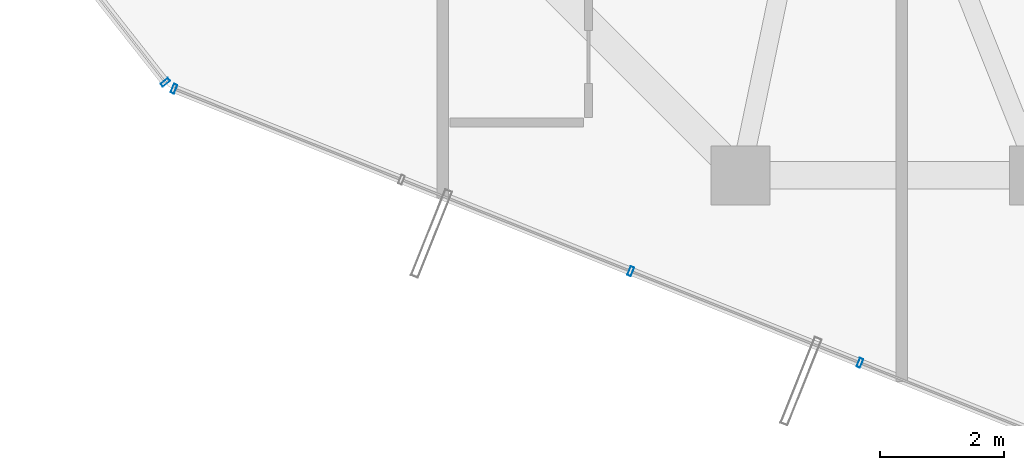
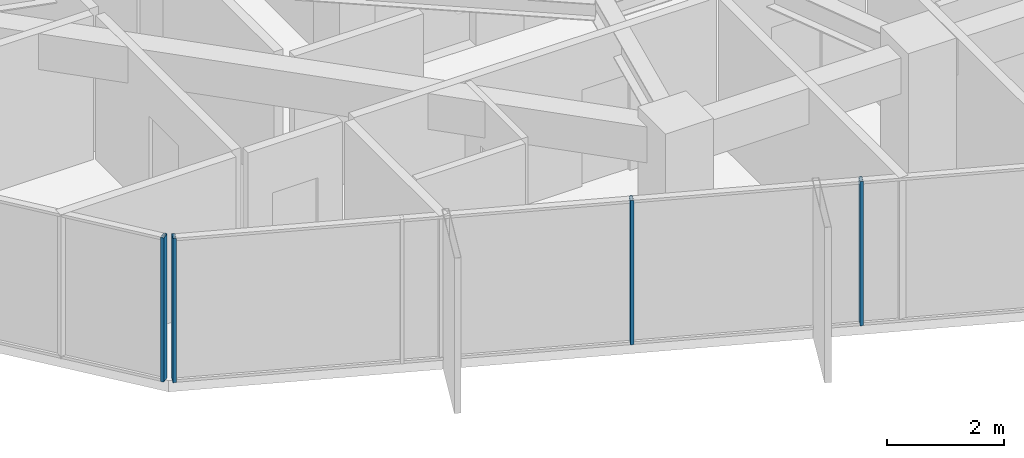
# One storey, part 2 of 31: 4 members, 2 elements without a shape of their own.
"""IFC4 building model written with IfcOpenShell, lengths in metres."""

import ifcopenshell
import ifcopenshell.guid

model = None  # the IFC model being written
_history = None  # IfcOwnerHistory: only IFC2X3 demands one
_inside = {}  # id of a spatial element -> (the spatial element, [elements in it])
_under = {}  # id of a project, library or spatial element -> (it, [spatial elements below it])
_declared = {}  # id of a project -> (the project, [libraries it declares])
_typed = {}  # id of a type object -> (the type object, [elements of that type])
_made_of = {}  # id of a material, layer set ... -> (it, [elements and type objects made of it])


def new_model(schema):
    """Start an empty IFC model of exactly this schema.

    Asked for "IFC4X3", IfcOpenShell would pick the latest addendum, in which some entities
    have other attributes; the version numbers below select the first issue.
    IFC2X3 requires an IfcOwnerHistory on every rooted entity: one is made here for all.
    """
    global model, _history
    if schema == "IFC4X3":
        model = ifcopenshell.file(schema_version=(4, 3, 0, 0))
    else:
        model = ifcopenshell.file(schema=schema)
    _inside.clear()
    _under.clear()
    _declared.clear()
    _typed.clear()
    _made_of.clear()
    _history = None
    if model.schema == "IFC2X3":
        org = make("IfcOrganization", Name="unknown")
        user = make(
            "IfcPersonAndOrganization",
            ThePerson=make("IfcPerson", FamilyName="unknown"),
            TheOrganization=org,
        )
        app = make(
            "IfcApplication",
            ApplicationDeveloper=org,
            Version="unknown",
            ApplicationFullName="unknown",
            ApplicationIdentifier="unknown",
        )
        _history = make(
            "IfcOwnerHistory",
            OwningUser=user,
            OwningApplication=app,
            ChangeAction="ADDED",
            CreationDate=0,
        )
    return model


def make(cls, **values):
    """One entity of the class cls with the attributes given. An attribute that is None is left unset."""
    return model.create_entity(
        cls, **{name: value for name, value in values.items() if value is not None}
    )


def rooted(cls, **values):
    """An entity with a GlobalId (a new one), such as an element, a storey or a relation."""
    return make(cls, GlobalId=ifcopenshell.guid.new(), OwnerHistory=_history, **values)


def si_unit(unit_type, name, prefix=None):
    """IfcSIUnit, for example si_unit("LENGTHUNIT", "METRE", prefix="MILLI")."""
    return make("IfcSIUnit", UnitType=unit_type, Prefix=prefix, Name=name)


def assignment(units):
    """IfcUnitAssignment: the units of a project."""
    return None if units is None else make("IfcUnitAssignment", Units=units)


def point(xyz):
    """IfcCartesianPoint."""
    return None if xyz is None else make("IfcCartesianPoint", Coordinates=xyz)


def direction(xyz):
    """IfcDirection."""
    return None if xyz is None else make("IfcDirection", DirectionRatios=xyz)


def frame(location, z_axis=None, x_axis=None):
    """IfcAxis2Placement3D, a coordinate frame: its origin and axes. An axis left out is left unset."""
    return make(
        "IfcAxis2Placement3D",
        Location=point(location),
        Axis=direction(z_axis),
        RefDirection=direction(x_axis),
    )


def frame_2d(location, x_axis=None):
    """IfcAxis2Placement2D, a coordinate frame in the plane: its origin and x axis."""
    return make(
        "IfcAxis2Placement2D", Location=point(location), RefDirection=direction(x_axis)
    )


def origin():
    """The frame at (0, 0, 0) with its axes left unset."""
    return frame((0.0, 0.0, 0.0))


def origin_2d():
    """The frame at (0, 0) in the plane with its x axis left unset."""
    return frame_2d((0.0, 0.0))


def place(relative_to, where):
    """IfcLocalPlacement: puts the frame where relative to a parent placement (None: the world)."""
    return make(
        "IfcLocalPlacement", PlacementRelTo=relative_to, RelativePlacement=where
    )


def context(
    kind, dimensions, precision=None, world=None, true_north=None, identifier=None
):
    """IfcGeometricRepresentationContext, for example the 3D "Model" context."""
    return make(
        "IfcGeometricRepresentationContext",
        ContextIdentifier=identifier,
        ContextType=kind,
        CoordinateSpaceDimension=dimensions,
        Precision=precision,
        WorldCoordinateSystem=world,
        TrueNorth=true_north,
    )


def subcontext(parent, identifier, kind, view, scale=None):
    """IfcGeometricRepresentationSubContext, for example "Body" below "Model"."""
    return make(
        "IfcGeometricRepresentationSubContext",
        ContextIdentifier=identifier,
        ContextType=kind,
        ParentContext=parent,
        TargetScale=scale,
        TargetView=view,
    )


def project(units=None, contexts=None):
    """IfcProject with its units and contexts."""
    return rooted(
        "IfcProject",
        Name="project",
        RepresentationContexts=contexts,
        UnitsInContext=assignment(units),
    )


def spatial(cls, under=None, at=None, **own):
    """A site, building, storey or space (cls), placed at a placement, below another one or the project."""
    s = rooted(cls, ObjectPlacement=at, **own)
    if under is not None:
        _under.setdefault(under.id(), (under, []))[1].append(s)
    return s


def profile(cls, at=None, kind="AREA", **sizes):
    """A parametric profile (cls). Its sizes go by their IFC names, for example OverallWidth=200.0."""
    return make(cls, ProfileType=kind, Position=at, **sizes)


def hollow_rectangle(**sizes):
    """IfcRectangleHollowProfileDef."""
    return profile("IfcRectangleHollowProfileDef", **sizes)


def extrude(swept, where, along, depth):
    """IfcExtrudedAreaSolid: the profile swept, set in the frame where, extruded along a direction by depth."""
    return make(
        "IfcExtrudedAreaSolid",
        SweptArea=swept,
        Position=where,
        ExtrudedDirection=direction(along),
        Depth=depth,
    )


def shape(context_of_items, identifier, shape_type, items):
    """IfcShapeRepresentation: the items that make up one representation, for example the "Body"."""
    return make(
        "IfcShapeRepresentation",
        ContextOfItems=context_of_items,
        RepresentationIdentifier=identifier,
        RepresentationType=shape_type,
        Items=items,
    )


def source(mapping_origin, context_of_items, identifier, shape_type, items):
    """IfcRepresentationMap: a shape defined once, which mapped items show again and again."""
    return make(
        "IfcRepresentationMap",
        MappingOrigin=mapping_origin,
        MappedRepresentation=shape(context_of_items, identifier, shape_type, items),
    )


def transform(
    local_origin,
    x_axis=None,
    y_axis=None,
    z_axis=None,
    scale=None,
    scale2=None,
    scale3=None,
    uniform=True,
):
    """IfcCartesianTransformationOperator3D, or its non-uniform kind. x_axis, y_axis, z_axis: its Axis1, 2, 3."""
    if uniform:
        return make(
            "IfcCartesianTransformationOperator3D",
            Axis1=direction(x_axis),
            Axis2=direction(y_axis),
            LocalOrigin=point(local_origin),
            Scale=scale,
            Axis3=direction(z_axis),
        )
    return make(
        "IfcCartesianTransformationOperator3DnonUniform",
        Axis1=direction(x_axis),
        Axis2=direction(y_axis),
        LocalOrigin=point(local_origin),
        Scale=scale,
        Axis3=direction(z_axis),
        Scale2=scale2,
        Scale3=scale3,
    )


def mapped(mapping_source, mapping_target):
    """IfcMappedItem: shows the shape of a source again, moved by a transform."""
    return make(
        "IfcMappedItem", MappingSource=mapping_source, MappingTarget=mapping_target
    )


def material(Name=None, Category=None):
    """IfcMaterial."""
    return make("IfcMaterial", Name=Name, Category=Category)


def layer(
    of_material, thickness, ventilated=None, Name=None, Category=None, Priority=None
):
    """IfcMaterialLayer: one layer of a wall or slab, of a material (None: an air gap)."""
    return make(
        "IfcMaterialLayer",
        Material=of_material,
        LayerThickness=thickness,
        IsVentilated=ventilated,
        Name=Name,
        Category=Category,
        Priority=Priority,
    )


def layer_set(layers, Name=None):
    """IfcMaterialLayerSet."""
    return make("IfcMaterialLayerSet", MaterialLayers=layers, LayerSetName=Name)


def material_profile(
    of_material, cross_section, Name=None, Category=None, Priority=None
):
    """IfcMaterialProfile: a cross section and its material."""
    return make(
        "IfcMaterialProfile",
        Name=Name,
        Material=of_material,
        Profile=cross_section,
        Priority=Priority,
        Category=Category,
    )


def profile_set(profiles, Name=None, composite=None):
    """IfcMaterialProfileSet."""
    return make(
        "IfcMaterialProfileSet",
        Name=Name,
        MaterialProfiles=profiles,
        CompositeProfile=composite,
    )


def made_of(thing, what):
    """Note that an element or type object is made of a material, layer set ...; save() writes the relation."""
    if what is not None:
        _made_of.setdefault(what.id(), (what, []))[1].append(thing)
    return thing


def type_object(cls, material=None, **own):
    """A type object (cls), such as IfcWallType, which elements share."""
    return made_of(rooted(cls, **own), material)


def element(
    cls,
    number,
    at=None,
    inside=None,
    cuts=None,
    type_object=None,
    material=None,
    context=None,
    identifier="Body",
    shape_type=None,
    held_by="IfcProductDefinitionShape",
    body=None,
    shapes=None,
    **own,
):
    """One element of the class cls, such as IfcWall. Its Tag is "e" and its number.

    at: its placement. inside: the storey or other place that contains it. cuts: it is an
    opening in that element (IfcRelVoidsElement). A single representation is given by context,
    identifier, shape_type and body (its items); several are given by shapes. held_by: the class
    of the entity that holds the representations. save() writes the other relations.
    """
    e = rooted(cls, Tag="e%d" % number, ObjectPlacement=at, **own)
    if body is not None:
        shapes = [shape(context, identifier, shape_type, body)]
    if shapes is not None:
        e.Representation = make(held_by, Representations=shapes)
    if inside is not None:
        _inside.setdefault(inside.id(), (inside, []))[1].append(e)
    if cuts is not None:
        rooted(
            "IfcRelVoidsElement", RelatingBuildingElement=cuts, RelatedOpeningElement=e
        )
    if type_object is not None:
        _typed.setdefault(type_object.id(), (type_object, []))[1].append(e)
    return made_of(e, material)


def aggregate(whole, parts):
    """IfcRelAggregates: a whole, such as a stair, and the parts it consists of."""
    return rooted("IfcRelAggregates", RelatingObject=whole, RelatedObjects=parts)


def save(model, path):
    """Write the relations noted so far, then the file.

    IfcRelAggregates (storeys below a building ...), IfcRelContainedInSpatialStructure (elements
    in a storey), IfcRelDefinesByType, IfcRelAssociatesMaterial and IfcRelDeclares: one each for
    every whole, place, type object, material and project.
    """
    for whole, parts in _under.values():
        aggregate(whole, parts)
    for where, things in _inside.values():
        rooted(
            "IfcRelContainedInSpatialStructure",
            RelatedElements=things,
            RelatingStructure=where,
        )
    for kind, things in _typed.values():
        rooted("IfcRelDefinesByType", RelatedObjects=things, RelatingType=kind)
    for what, things in _made_of.values():
        rooted("IfcRelAssociatesMaterial", RelatedObjects=things, RelatingMaterial=what)
    for by, libraries in _declared.values():
        rooted("IfcRelDeclares", RelatingContext=by, RelatedDefinitions=libraries)
    model.write(path)


model = new_model("IFC4")

# Units and contexts
model_context = context("Model", 3, precision=1e-05, world=origin(), true_north=direction((0.0, 1.0)))
body_context = subcontext(model_context, "Body", "Model", "MODEL_VIEW")
ifc_project = project(units=[si_unit("LENGTHUNIT", "METRE"), si_unit("AREAUNIT", "SQUARE_METRE"), si_unit("VOLUMEUNIT", "CUBIC_METRE"), si_unit("PLANEANGLEUNIT", "RADIAN"), si_unit("MASSUNIT", "GRAM", prefix="KILO")], contexts=[model_context])

# Site, building, storey
site_placement = place(None, origin())
site = spatial("IfcSite", under=ifc_project, at=site_placement, CompositionType="ELEMENT")
building_placement = place(site_placement, origin())
building = spatial("IfcBuilding", under=site, at=building_placement, Name="Veraguas Prism Commons", CompositionType="ELEMENT")
storey_placement = place(building_placement, frame((0.0, 0.0, 178.85009765625)))
storey = spatial("IfcBuildingStorey", under=building, at=storey_placement, Name="L50", CompositionType="ELEMENT", Elevation=178.85009765625)

# Curtain wall, members
ifc_material = material(Name="Anodised aluminium EN AW-6063 T6", Category="aluminium")
ifc_layer = layer(ifc_material, 0.14990234375, Name="Unitised Flush Curtain Wall Zone 3", Category="aluminium")
ifc_layer_set = layer_set([ifc_layer], Name="Anodised aluminium EN AW-6063 T6")
curtain_wall_type = type_object("IfcCurtainWallType", Name="Unitised Flush Curtain Wall Zone 3", PredefinedType="NOTDEFINED", material=ifc_layer_set)
curtain_wall_1_placement = place(storey_placement, origin())
curtain_wall_1 = element("IfcCurtainWall", 1, at=curtain_wall_1_placement, inside=storey, type_object=curtain_wall_type, Name="Tower Facade Curtain Wall L50-F4", PredefinedType="NOTDEFINED")
ifc_material_profile = material_profile(ifc_material, hollow_rectangle(XDim=0.06005859375, YDim=0.14990234375, WallThickness=0.0029296875, at=origin_2d()), Name="AL60X150X3")
ifc_profile_set = profile_set([ifc_material_profile], Name="Anodised aluminium EN AW-6063 T6")
member_type = type_object("IfcMemberType", Name="Curtain Wall Mullion Upper AL 60x150x3", PredefinedType="MULLION", material=ifc_profile_set)
shared_shape = source(origin(), body_context, "Body", "SweptSolid", [
    extrude(hollow_rectangle(XDim=0.06005859375, YDim=0.14990234375, WallThickness=0.0029296875, at=origin_2d()), origin(), (0.0, 0.0, 1.0), 3.014892578125),
])
member_1_placement = place(storey_placement, frame((10.072998046875, 10.4931640625, 0.0), z_axis=(0.0, 0.0, 1.0), x_axis=(0.928617992492, -0.37103722727, 0.0)))
member_1 = element("IfcMember", 2, at=member_1_placement, type_object=member_type, Name="CW-Z3 Mullion 1", PredefinedType="MULLION", context=body_context, shape_type="MappedRepresentation", body=[
    mapped(shared_shape, transform((0.0, 0.0, 0.0), scale=1.0)),
])
member_2_placement = place(storey_placement, frame((17.4287109375, 7.553955078125, 0.0), z_axis=(0.0, 0.0, 1.0), x_axis=(0.928617992492, -0.37103722727, 0.0)))
member_2 = element("IfcMember", 3, at=member_2_placement, type_object=member_type, Name="CW-Z3 Mullion 3", PredefinedType="MULLION", context=body_context, shape_type="MappedRepresentation", body=[
    mapped(shared_shape, transform((0.0, 0.0, 0.0), scale=1.0)),
])
member_3_placement = place(storey_placement, frame((21.12060546875, 6.078857421875, 0.0), z_axis=(0.0, 0.0, 1.0), x_axis=(0.928617992492, -0.37103722727, 0.0)))
member_3 = element("IfcMember", 4, at=member_3_placement, type_object=member_type, Name="CW-Z3 Mullion 4", PredefinedType="MULLION", context=body_context, shape_type="MappedRepresentation", body=[
    mapped(shared_shape, transform((0.0, 0.0, 0.0), scale=1.0)),
])
aggregate(curtain_wall_1, [member_1, member_2, member_3])

# Curtain wall, member
curtain_wall_2_placement = place(storey_placement, origin())
curtain_wall_2 = element("IfcCurtainWall", 5, at=curtain_wall_2_placement, inside=storey, type_object=curtain_wall_type, Name="Chamfer Curtain Wall L50-C4", PredefinedType="NOTDEFINED")
member_4_placement = place(storey_placement, frame((9.933837890625, 10.59716796875, 0.0), z_axis=(0.0, 0.0, 1.0), x_axis=(0.618678559866, -0.785644219454, 0.0)))
member_4 = element("IfcMember", 6, at=member_4_placement, type_object=member_type, Name="CW-Z3 Mullion 2", PredefinedType="MULLION", context=body_context, shape_type="MappedRepresentation", body=[
    mapped(shared_shape, transform((0.0, 0.0, 0.0), scale=1.0)),
])
aggregate(curtain_wall_2, [member_4])

save(model, "model.ifc")
